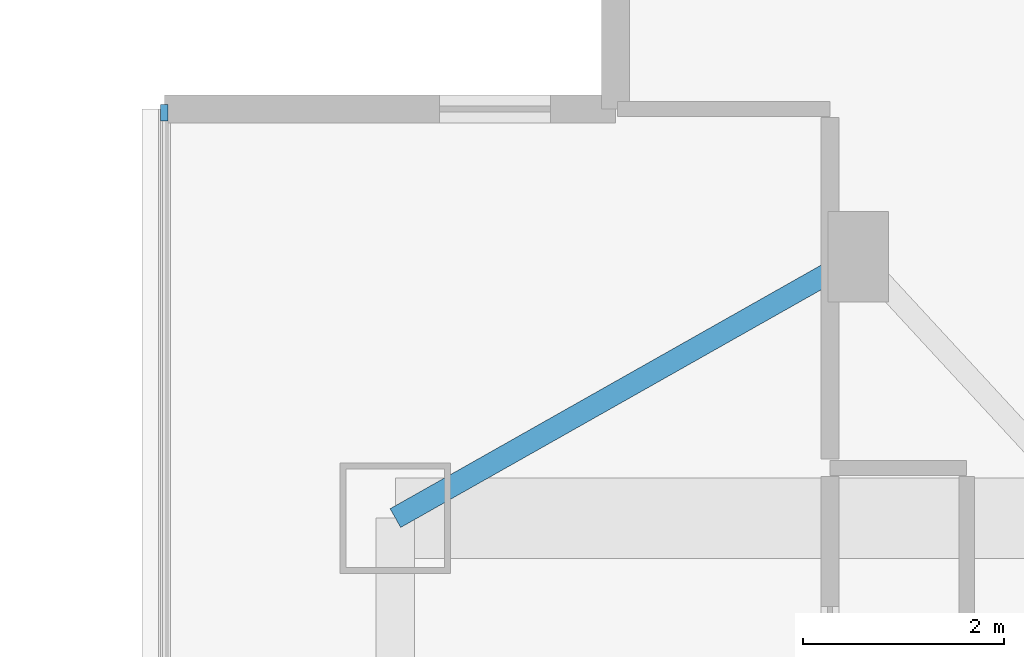
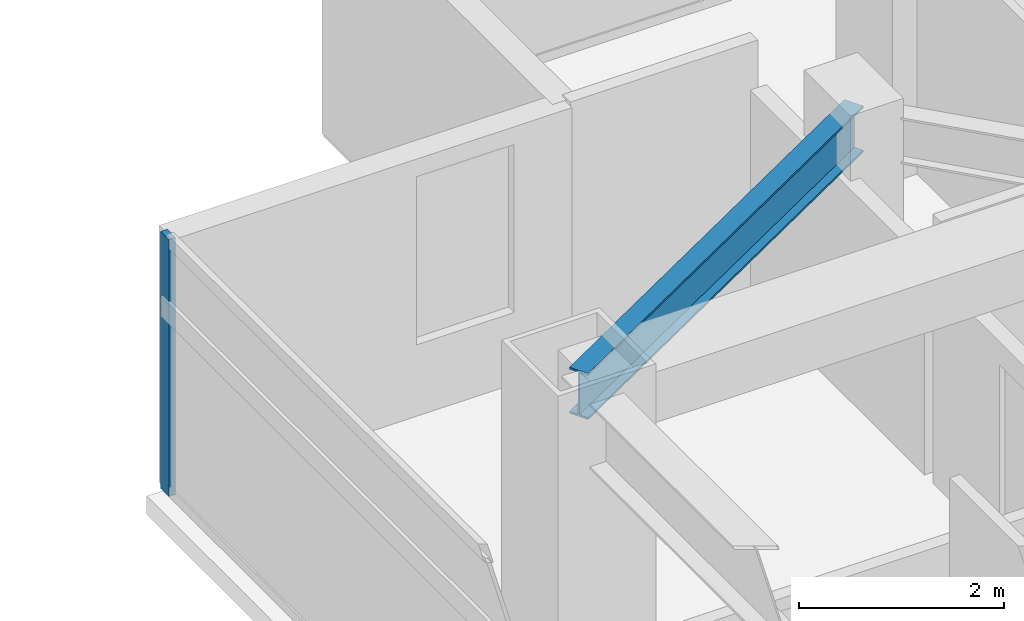
# One storey, part 6 of 25: 1 beam, 1 member, 1 element without a shape of its own.
"""IFC4 building model written with IfcOpenShell, lengths in metres."""

from ifc_helpers import new_model, si_unit, direction, frame, origin, origin_2d, place, context, subcontext, project, spatial, rectangle, i_section, extrude, material, material_profile, profile_set, type_object, element, aggregate, save


model = new_model("IFC4")

# Units and contexts
model_context = context("Model", 3, precision=1e-05, world=origin(), true_north=direction((0.0, 1.0)))
body_context = subcontext(model_context, "Body", "Model", "MODEL_VIEW")
ifc_project = project(units=[si_unit("LENGTHUNIT", "METRE"), si_unit("AREAUNIT", "SQUARE_METRE"), si_unit("VOLUMEUNIT", "CUBIC_METRE"), si_unit("PLANEANGLEUNIT", "RADIAN"), si_unit("MASSUNIT", "GRAM", prefix="KILO")], contexts=[model_context])

# Site, building, storey
site_placement = place(None, origin())
site = spatial("IfcSite", under=ifc_project, at=site_placement, CompositionType="ELEMENT")
building_placement = place(site_placement, origin())
building = spatial("IfcBuilding", under=site, at=building_placement, Name="Mirazonda Arch Towers", CompositionType="ELEMENT")
storey_placement = place(building_placement, frame((0.0, 0.0, 131.300048828125)))
storey = spatial("IfcBuildingStorey", under=building, at=storey_placement, Name="L37", CompositionType="ELEMENT", Elevation=131.300048828125)

# Beam
ifc_material_1 = material(Name="Steel ASTM A992 Grade 50", Category="steel")
ifc_material_profile_1 = material_profile(ifc_material_1, i_section(OverallWidth=0.214111328125, OverallDepth=0.549072265625, WebThickness=0.0146484375, FlangeThickness=0.023681640625, at=origin_2d()), Name="W21X93")
ifc_profile_set_1 = profile_set([ifc_material_profile_1], Name="Steel ASTM A992 Grade 50")
beam_type = type_object("IfcBeamType", Name="BM-INT-W21X93", PredefinedType="BEAM", material=ifc_profile_set_1)
beam_placement = place(storey_placement, frame((65.60009765625, 37.800048828125, 2.805419921875), z_axis=(-0.870559396632, -0.492063346467, 0.0), x_axis=(0.492063346467, -0.870559396632, 0.0)))
element("IfcBeam", 1, at=beam_placement, inside=storey, type_object=beam_type, Name="L37 Floor Beam BM-T2-L37-PL-NW2", PredefinedType="BEAM", context=body_context, shape_type="SweptSolid", body=[
    extrude(i_section(OverallWidth=0.214111328125, OverallDepth=0.549072265625, WebThickness=0.0146484375, FlangeThickness=0.023681640625, at=origin_2d()), origin(), (0.0, 0.0, 1.0), 5.2841796875),
])

# Curtain wall, member
ifc_material_2 = material(Name="Anodised Aluminium and Low-E Glass", Category="aluminium")
curtain_wall_type = type_object("IfcCurtainWallType", Name="CW-HTL-UNIT", PredefinedType="NOTDEFINED", material=ifc_material_2)
curtain_wall_placement = place(storey_placement, origin())
curtain_wall = element("IfcCurtainWall", 2, at=curtain_wall_placement, inside=storey, type_object=curtain_wall_type, Name="L37 T2 W Facade CW-L37-T2-W", PredefinedType="NOTDEFINED")
ifc_material_3 = material(Name="Anodised Aluminium Alloy", Category="aluminium")
ifc_material_profile_2 = material_profile(ifc_material_3, rectangle(XDim=0.074951171875, YDim=0.1650390625, at=origin_2d()), Name="ALU-MULL-75x165")
ifc_profile_set_2 = profile_set([ifc_material_profile_2], Name="Anodised Aluminium Alloy")
member_type = type_object("IfcMemberType", Name="MULL-CW-HTL-UNIT", PredefinedType="MULLION", material=ifc_profile_set_2)
member_placement = place(storey_placement, frame((58.702880859375, 39.228271484375, 0.0), z_axis=(0.0, 0.0, 1.0), x_axis=(1.0, 0.0, 0.0)))
member = element("IfcMember", 3, at=member_placement, type_object=member_type, Name="CW-112 mullion 1", PredefinedType="MULLION", context=body_context, shape_type="SweptSolid", body=[
    extrude(rectangle(XDim=0.074951171875, YDim=0.1650390625, at=origin_2d()), origin(), (0.0, 0.0, 1.0), 3.06005859375),
])
aggregate(curtain_wall, [member])

save(model, "model.ifc")
